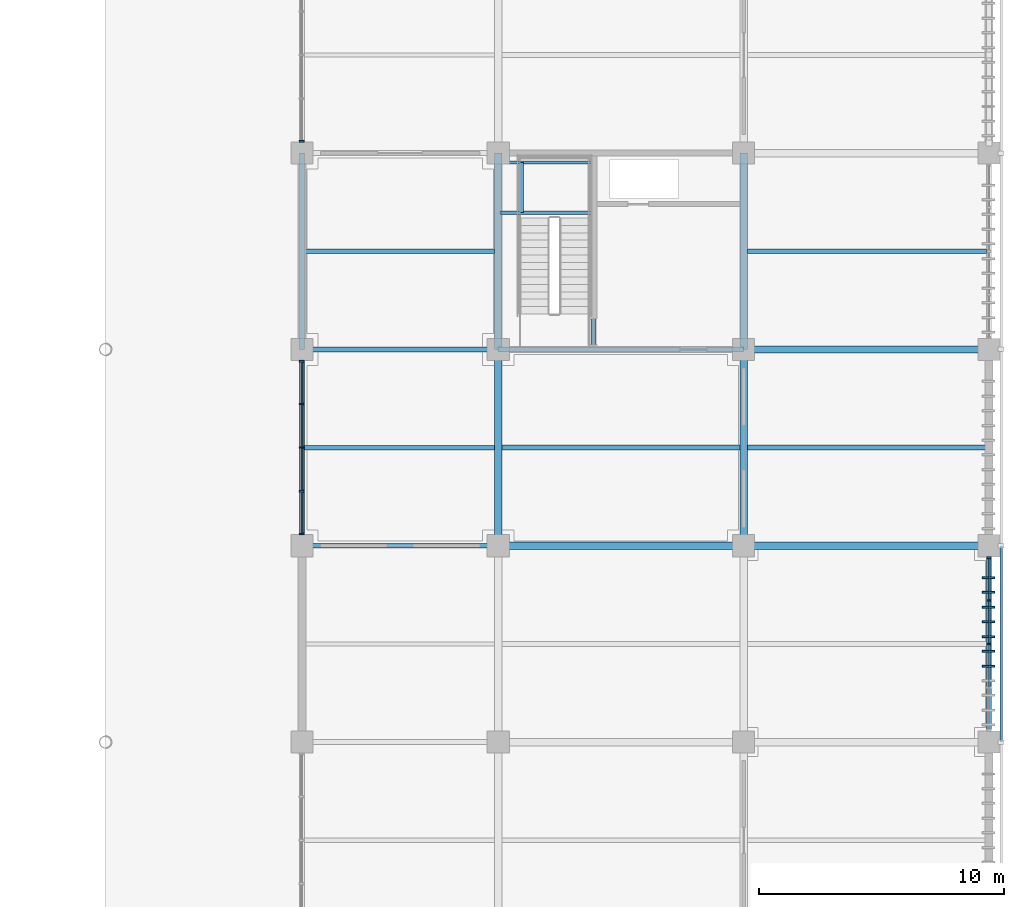
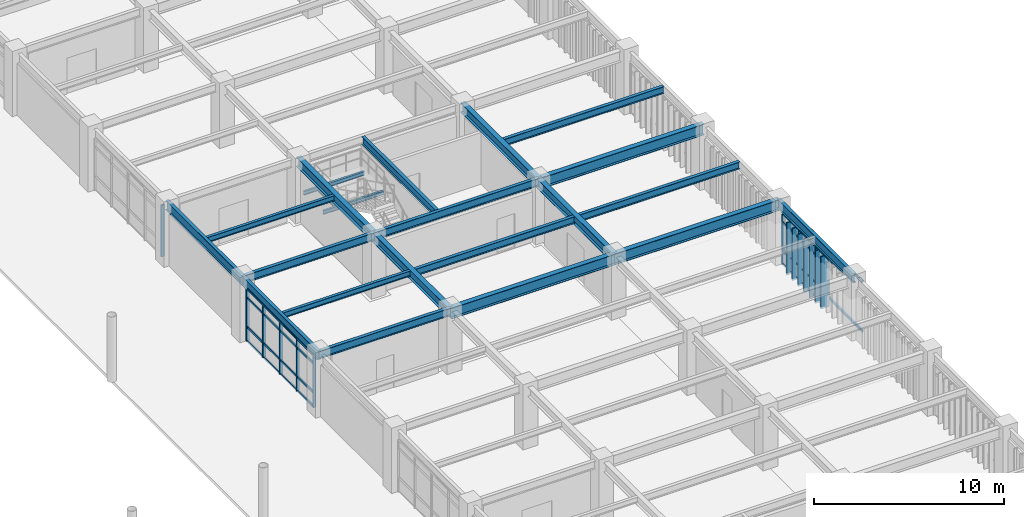
# One storey, part 47 of 118: 43 members, 22 beams, 3 elements without a shape of their own.
"""IFC4 building model written with IfcOpenShell, lengths in metres."""

from ifc_helpers import new_model, si_unit, direction, frame, origin, origin_2d, place, context, subcontext, project, spatial, rectangle, hollow_rectangle, i_section, extrude, material, layer, layer_set, material_profile, profile_set, type_object, element, aggregate, save


model = new_model("IFC4")

# Units and contexts
model_context = context("Model", 3, precision=1e-05, world=origin(), true_north=direction((0.0, 1.0)))
body_context = subcontext(model_context, "Body", "Model", "MODEL_VIEW")
ifc_project = project(units=[si_unit("LENGTHUNIT", "METRE"), si_unit("AREAUNIT", "SQUARE_METRE"), si_unit("VOLUMEUNIT", "CUBIC_METRE"), si_unit("PLANEANGLEUNIT", "RADIAN"), si_unit("MASSUNIT", "GRAM", prefix="KILO")], contexts=[model_context])

# Site, building, storey
site_placement = place(None, origin())
site = spatial("IfcSite", under=ifc_project, at=site_placement, CompositionType="ELEMENT")
building_placement = place(site_placement, origin())
building = spatial("IfcBuilding", under=site, at=building_placement, Name="Haebicheon Civic Stadium", CompositionType="ELEMENT")
storey_placement = place(building_placement, frame((0.0, 0.0, 14.39990234375)))
storey = spatial("IfcBuildingStorey", under=building, at=storey_placement, Name="L04", CompositionType="ELEMENT", Elevation=14.39990234375)

# Beams
ifc_material_1 = material(Name="Steel SM355 (S355)", Category="steel")
ifc_material_profile_1 = material_profile(ifc_material_1, i_section(OverallWidth=0.199951171875, OverallDepth=0.5, WebThickness=0.010009765625, FlangeThickness=0.01611328125, at=origin_2d()), Name="H-500x200x10x16")
ifc_profile_set_1 = profile_set([ifc_material_profile_1], Name="Steel SM355 (S355)")
beam_type_1 = type_object("IfcBeamType", Name="BM-ST-H500", PredefinedType="BEAM", material=ifc_profile_set_1)
for number, where, z_axis, x_axis, name in (
    (1, (208.0, 96.0, 3.690185546875), (1.0, 0.0, 0.0), (0.0, 1.0, 0.0), "L04 beam N/27-28"),
    (2, (208.0, 104.0, 3.690185546875), (1.0, 0.0, 0.0), (0.0, 1.0, 0.0), "L04 beam P/27-28"),
):
    element("IfcBeam", number, at=place(storey_placement, frame(where, z_axis=z_axis, x_axis=x_axis)), inside=storey, type_object=beam_type_1, material=ifc_profile_set_1, Name=name, PredefinedType="BEAM", context=body_context, shape_type="SweptSolid", body=[
        extrude(i_section(OverallWidth=0.199951171875, OverallDepth=0.5, WebThickness=0.010009765625, FlangeThickness=0.01611328125, at=origin_2d()), origin(), (0.0, 0.0, 1.0), 8.0),
    ])
beam_1_placement = place(storey_placement, frame((216.0, 104.0, 3.690185546875), z_axis=(1.0, 0.0, 0.0), x_axis=(0.0, 1.0, 0.0)))
element("IfcBeam", 3, at=beam_1_placement, inside=storey, type_object=beam_type_1, material=ifc_profile_set_1, Name="L04 beam P/28-29", PredefinedType="BEAM", context=body_context, shape_type="SweptSolid", body=[
    extrude(i_section(OverallWidth=0.199951171875, OverallDepth=0.5, WebThickness=0.010009765625, FlangeThickness=0.01611328125, at=origin_2d()), origin(), (0.0, 0.0, 1.0), 10.0),
])
beam_2_placement = place(storey_placement, frame((219.8798828125, 104.10009765625, 3.690185546875), z_axis=(0.0, 1.0, 0.0), x_axis=(-1.0, 0.0, 0.0)))
element("IfcBeam", 4, at=beam_2_placement, inside=storey, type_object=beam_type_1, material=ifc_profile_set_1, Name="L04 KC-13 core dividing wall support beam", PredefinedType="BEAM", context=body_context, shape_type="SweptSolid", body=[
    extrude(i_section(OverallWidth=0.199951171875, OverallDepth=0.5, WebThickness=0.010009765625, FlangeThickness=0.01611328125, at=origin_2d()), origin(), (0.0, 0.0, 1.0), 7.7998046875),
])
ifc_material_2 = material(Name="Steel SM355 (S355)", Category="steel")
ifc_material_profile_2 = material_profile(ifc_material_2, i_section(OverallWidth=0.300048828125, OverallDepth=0.60009765625, WebThickness=0.011962890625, FlangeThickness=0.02001953125, at=origin_2d()), Name="H-600x300x12x20")
ifc_profile_set_2 = profile_set([ifc_material_profile_2], Name="Steel SM355 (S355)")
beam_type_2 = type_object("IfcBeamType", Name="BM-ST-H600A", PredefinedType="BEAM", material=ifc_profile_set_2)
for number, where, z_axis, x_axis, name in (
    (5, (216.0, 96.0, 3.64013671875), (0.0, 1.0, 0.0), (-1.0, 0.0, 0.0), "L04 girder 28/N-P"),
    (6, (216.0, 104.0, 3.64013671875), (0.0, 1.0, 0.0), (-1.0, 0.0, 0.0), "L04 girder 28/P-Q"),
    (7, (226.0, 96.0, 3.64013671875), (0.0, 1.0, 0.0), (-1.0, 0.0, 0.0), "L04 girder 29/N-P"),
    (8, (226.0, 104.0, 3.64013671875), (0.0, 1.0, 0.0), (-1.0, 0.0, 0.0), "L04 girder 29/P-Q"),
):
    element("IfcBeam", number, at=place(storey_placement, frame(where, z_axis=z_axis, x_axis=x_axis)), inside=storey, type_object=beam_type_2, material=ifc_profile_set_2, Name=name, PredefinedType="BEAM", context=body_context, shape_type="SweptSolid", body=[
        extrude(i_section(OverallWidth=0.300048828125, OverallDepth=0.60009765625, WebThickness=0.011962890625, FlangeThickness=0.02001953125, at=origin_2d()), origin(), (0.0, 0.0, 1.0), 8.0),
    ])
ifc_material_3 = material(Name="Steel SM490", Category="steel")
ifc_material_profile_3 = material_profile(ifc_material_3, i_section(OverallWidth=0.300048828125, OverallDepth=0.699951171875, WebThickness=0.012939453125, FlangeThickness=0.02392578125, at=origin_2d()), Name="H-700x300x13x24")
ifc_profile_set_3 = profile_set([ifc_material_profile_3], Name="Steel SM490")
beam_type_3 = type_object("IfcBeamType", Name="BM-ST-H700", PredefinedType="BEAM", material=ifc_profile_set_3)
for number, where, z_axis, x_axis, name in (
    (9, (216.0, 96.0, 3.590087890625), (1.0, 0.0, 0.0), (0.0, 1.0, 0.0), "L04 beam N/28-29"),
    (10, (226.0, 96.0, 3.590087890625), (1.0, 0.0, 0.0), (0.0, 1.0, 0.0), "L04 beam N/29-30"),
    (11, (226.0, 104.0, 3.590087890625), (1.0, 0.0, 0.0), (0.0, 1.0, 0.0), "L04 beam P/29-30"),
):
    element("IfcBeam", number, at=place(storey_placement, frame(where, z_axis=z_axis, x_axis=x_axis)), inside=storey, type_object=beam_type_3, material=ifc_profile_set_3, Name=name, PredefinedType="BEAM", context=body_context, shape_type="SweptSolid", body=[
        extrude(i_section(OverallWidth=0.300048828125, OverallDepth=0.699951171875, WebThickness=0.012939453125, FlangeThickness=0.02392578125, at=origin_2d()), origin(), (0.0, 0.0, 1.0), 10.0),
    ])

# Curtain wall, members
ifc_material_4 = material(Name="Anodised aluminium and laminated glass", Category="aluminium")
ifc_layer_1 = layer(ifc_material_4, 0.179931640625, Name="Anodised aluminium and laminated glass")
ifc_layer_set_1 = layer_set([ifc_layer_1], Name="Anodised aluminium and laminated glass")
curtain_wall_type_1 = type_object("IfcCurtainWallType", Name="CW-7100x3330", PredefinedType="NOTDEFINED", material=ifc_layer_set_1)
curtain_wall_1_placement = place(storey_placement, origin())
curtain_wall_1 = element("IfcCurtainWall", 12, at=curtain_wall_1_placement, inside=storey, type_object=curtain_wall_type_1, material=ifc_layer_set_1, Name="L04 unitised curtain wall 172", PredefinedType="NOTDEFINED")
ifc_material_5 = material(Name="Anodised aluminium 6063-T6", Category="aluminium")
ifc_material_profile_4 = material_profile(ifc_material_5, rectangle(XDim=0.070068359375, YDim=0.199951171875, at=origin_2d()), Name="ALU-MULL-70x200")
ifc_profile_set_4 = profile_set([ifc_material_profile_4], Name="Anodised aluminium 6063-T6")
member_type_1 = type_object("IfcMemberType", Name="CWM-200x70", PredefinedType="MULLION", material=ifc_profile_set_4)
member_1_placement = place(storey_placement, frame((208.0, 96.485107421875, 0.0), z_axis=(0.0, 0.0, 1.0), x_axis=(0.0, 1.0, 0.0)))
member_1 = element("IfcMember", 13, at=member_1_placement, type_object=member_type_1, material=ifc_profile_set_4, Name="CW-L04-172 vertical mullion 1", PredefinedType="MULLION", context=body_context, shape_type="SweptSolid", body=[
    extrude(rectangle(XDim=0.070068359375, YDim=0.199951171875, at=origin_2d()), origin(), (0.0, 0.0, 1.0), 3.330078125),
])
member_2_placement = place(storey_placement, frame((208.0, 98.22509765625, 0.0), z_axis=(0.0, 0.0, 1.0), x_axis=(0.0, 1.0, 0.0)))
member_2 = element("IfcMember", 14, at=member_2_placement, type_object=member_type_1, material=ifc_profile_set_4, Name="CW-L04-172 vertical mullion 2", PredefinedType="MULLION", context=body_context, shape_type="SweptSolid", body=[
    extrude(rectangle(XDim=0.070068359375, YDim=0.199951171875, at=origin_2d()), origin(), (0.0, 0.0, 1.0), 3.330078125),
])
member_3_placement = place(storey_placement, frame((208.0, 100.0, 0.0), z_axis=(0.0, 0.0, 1.0), x_axis=(0.0, 1.0, 0.0)))
member_3 = element("IfcMember", 15, at=member_3_placement, type_object=member_type_1, material=ifc_profile_set_4, Name="CW-L04-172 vertical mullion 3", PredefinedType="MULLION", context=body_context, shape_type="SweptSolid", body=[
    extrude(rectangle(XDim=0.070068359375, YDim=0.199951171875, at=origin_2d()), origin(), (0.0, 0.0, 1.0), 3.330078125),
])
member_4_placement = place(storey_placement, frame((208.0, 101.77490234375, 0.0), z_axis=(0.0, 0.0, 1.0), x_axis=(0.0, 1.0, 0.0)))
member_4 = element("IfcMember", 16, at=member_4_placement, type_object=member_type_1, material=ifc_profile_set_4, Name="CW-L04-172 vertical mullion 4", PredefinedType="MULLION", context=body_context, shape_type="SweptSolid", body=[
    extrude(rectangle(XDim=0.070068359375, YDim=0.199951171875, at=origin_2d()), origin(), (0.0, 0.0, 1.0), 3.330078125),
])
member_5_placement = place(storey_placement, frame((208.0, 103.514892578125, 0.0), z_axis=(0.0, 0.0, 1.0), x_axis=(0.0, 1.0, 0.0)))
member_5 = element("IfcMember", 17, at=member_5_placement, type_object=member_type_1, material=ifc_profile_set_4, Name="CW-L04-172 vertical mullion 5", PredefinedType="MULLION", context=body_context, shape_type="SweptSolid", body=[
    extrude(rectangle(XDim=0.070068359375, YDim=0.199951171875, at=origin_2d()), origin(), (0.0, 0.0, 1.0), 3.330078125),
])

# Curtain wall, member
curtain_wall_2_placement = place(storey_placement, origin())
curtain_wall_2 = element("IfcCurtainWall", 18, at=curtain_wall_2_placement, inside=storey, type_object=curtain_wall_type_1, material=ifc_layer_set_1, Name="L04 unitised curtain wall 173", PredefinedType="NOTDEFINED")
member_6_placement = place(storey_placement, frame((208.0, 112.485107421875, 0.0), z_axis=(0.0, 0.0, 1.0), x_axis=(0.0, 1.0, 0.0)))
member_6 = element("IfcMember", 19, at=member_6_placement, type_object=member_type_1, material=ifc_profile_set_4, Name="CW-L04-173 vertical mullion 1", PredefinedType="MULLION", context=body_context, shape_type="SweptSolid", body=[
    extrude(rectangle(XDim=0.070068359375, YDim=0.199951171875, at=origin_2d()), origin(), (0.0, 0.0, 1.0), 3.330078125),
])
aggregate(curtain_wall_2, [member_6])

# Curtain wall, members
ifc_material_6 = material(Name="Anodised aluminium and laminated glass", Category="aluminium")
ifc_layer_2 = layer(ifc_material_6, 0.179931640625, Name="Anodised aluminium and laminated glass")
ifc_layer_set_2 = layer_set([ifc_layer_2], Name="Anodised aluminium and laminated glass")
curtain_wall_type_2 = type_object("IfcCurtainWallType", Name="CW-7100x3230", PredefinedType="NOTDEFINED", material=ifc_layer_set_2)
curtain_wall_3_placement = place(storey_placement, origin())
curtain_wall_3 = element("IfcCurtainWall", 20, at=curtain_wall_3_placement, inside=storey, type_object=curtain_wall_type_2, material=ifc_layer_set_2, Name="L04 unitised curtain wall 179", PredefinedType="NOTDEFINED")
member_7_placement = place(storey_placement, frame((236.0, 92.0, 0.0), z_axis=(0.0, 0.0, 1.0), x_axis=(0.0, 1.0, 0.0)))
member_7 = element("IfcMember", 21, at=member_7_placement, type_object=member_type_1, material=ifc_profile_set_4, Name="CW-L04-179 vertical mullion 3", PredefinedType="MULLION", context=body_context, shape_type="SweptSolid", body=[
    extrude(rectangle(XDim=0.070068359375, YDim=0.199951171875, at=origin_2d()), origin(), (0.0, 0.0, 1.0), 3.22998046875),
])
member_8_placement = place(storey_placement, frame((236.0, 93.77490234375, 0.0), z_axis=(0.0, 0.0, 1.0), x_axis=(0.0, 1.0, 0.0)))
member_8 = element("IfcMember", 22, at=member_8_placement, type_object=member_type_1, material=ifc_profile_set_4, Name="CW-L04-179 vertical mullion 4", PredefinedType="MULLION", context=body_context, shape_type="SweptSolid", body=[
    extrude(rectangle(XDim=0.070068359375, YDim=0.199951171875, at=origin_2d()), origin(), (0.0, 0.0, 1.0), 3.22998046875),
])
member_9_placement = place(storey_placement, frame((236.0, 95.514892578125, 0.0), z_axis=(0.0, 0.0, 1.0), x_axis=(0.0, 1.0, 0.0)))
member_9 = element("IfcMember", 23, at=member_9_placement, type_object=member_type_1, material=ifc_profile_set_4, Name="CW-L04-179 vertical mullion 5", PredefinedType="MULLION", context=body_context, shape_type="SweptSolid", body=[
    extrude(rectangle(XDim=0.070068359375, YDim=0.199951171875, at=origin_2d()), origin(), (0.0, 0.0, 1.0), 3.22998046875),
])

# Member
ifc_material_7 = material(Name="Anodised aluminium 6063-T6", Category="aluminium")
ifc_material_profile_5 = material_profile(ifc_material_7, rectangle(XDim=0.070068359375, YDim=0.14990234375, at=origin_2d()), Name="ALU-TRAN-70x150")
ifc_profile_set_5 = profile_set([ifc_material_profile_5], Name="Anodised aluminium 6063-T6")
member_type_2 = type_object("IfcMemberType", Name="CWT-150x70", PredefinedType="NOTDEFINED", material=ifc_profile_set_5)
member_10_placement = place(storey_placement, frame((208.0, 96.52001953125, 0.0), z_axis=(0.0, 1.0, 0.0), x_axis=(-1.0, 0.0, 0.0)))
member_10 = element("IfcMember", 24, at=member_10_placement, type_object=member_type_2, material=ifc_profile_set_5, Name="CW-L04-172 horizontal transom 1.1", ObjectType="TRANSOM", PredefinedType="USERDEFINED", context=body_context, shape_type="SweptSolid", body=[
    extrude(rectangle(XDim=0.070068359375, YDim=0.14990234375, at=origin_2d()), origin(), (0.0, 0.0, 1.0), 1.669921875),
])

member_11_placement = place(storey_placement, frame((208.0, 96.52001953125, 0.900146484375), z_axis=(0.0, 1.0, 0.0), x_axis=(-1.0, 0.0, 0.0)))
member_11 = element("IfcMember", 25, at=member_11_placement, type_object=member_type_2, material=ifc_profile_set_5, Name="CW-L04-172 horizontal transom 1.2", ObjectType="TRANSOM", PredefinedType="USERDEFINED", context=body_context, shape_type="SweptSolid", body=[
    extrude(rectangle(XDim=0.070068359375, YDim=0.14990234375, at=origin_2d()), origin(), (0.0, 0.0, 1.0), 1.669921875),
])

member_12_placement = place(storey_placement, frame((208.0, 96.52001953125, 2.780029296875), z_axis=(0.0, 1.0, 0.0), x_axis=(-1.0, 0.0, 0.0)))
member_12 = element("IfcMember", 26, at=member_12_placement, type_object=member_type_2, material=ifc_profile_set_5, Name="CW-L04-172 horizontal transom 1.3", ObjectType="TRANSOM", PredefinedType="USERDEFINED", context=body_context, shape_type="SweptSolid", body=[
    extrude(rectangle(XDim=0.070068359375, YDim=0.14990234375, at=origin_2d()), origin(), (0.0, 0.0, 1.0), 1.669921875),
])

member_13_placement = place(storey_placement, frame((208.0, 96.52001953125, 3.330078125), z_axis=(0.0, 1.0, 0.0), x_axis=(-1.0, 0.0, 0.0)))
member_13 = element("IfcMember", 27, at=member_13_placement, type_object=member_type_2, material=ifc_profile_set_5, Name="CW-L04-172 horizontal transom 1.4", ObjectType="TRANSOM", PredefinedType="USERDEFINED", context=body_context, shape_type="SweptSolid", body=[
    extrude(rectangle(XDim=0.070068359375, YDim=0.14990234375, at=origin_2d()), origin(), (0.0, 0.0, 1.0), 1.669921875),
])

member_14_placement = place(storey_placement, frame((208.0, 98.260009765625, 0.0), z_axis=(0.0, 1.0, 0.0), x_axis=(-1.0, 0.0, 0.0)))
member_14 = element("IfcMember", 28, at=member_14_placement, type_object=member_type_2, material=ifc_profile_set_5, Name="CW-L04-172 horizontal transom 2.1", ObjectType="TRANSOM", PredefinedType="USERDEFINED", context=body_context, shape_type="SweptSolid", body=[
    extrude(rectangle(XDim=0.070068359375, YDim=0.14990234375, at=origin_2d()), origin(), (0.0, 0.0, 1.0), 1.705078125),
])

member_15_placement = place(storey_placement, frame((208.0, 98.260009765625, 0.900146484375), z_axis=(0.0, 1.0, 0.0), x_axis=(-1.0, 0.0, 0.0)))
member_15 = element("IfcMember", 29, at=member_15_placement, type_object=member_type_2, material=ifc_profile_set_5, Name="CW-L04-172 horizontal transom 2.2", ObjectType="TRANSOM", PredefinedType="USERDEFINED", context=body_context, shape_type="SweptSolid", body=[
    extrude(rectangle(XDim=0.070068359375, YDim=0.14990234375, at=origin_2d()), origin(), (0.0, 0.0, 1.0), 1.705078125),
])

member_16_placement = place(storey_placement, frame((208.0, 98.260009765625, 2.780029296875), z_axis=(0.0, 1.0, 0.0), x_axis=(-1.0, 0.0, 0.0)))
member_16 = element("IfcMember", 30, at=member_16_placement, type_object=member_type_2, material=ifc_profile_set_5, Name="CW-L04-172 horizontal transom 2.3", ObjectType="TRANSOM", PredefinedType="USERDEFINED", context=body_context, shape_type="SweptSolid", body=[
    extrude(rectangle(XDim=0.070068359375, YDim=0.14990234375, at=origin_2d()), origin(), (0.0, 0.0, 1.0), 1.705078125),
])

member_17_placement = place(storey_placement, frame((208.0, 98.260009765625, 3.330078125), z_axis=(0.0, 1.0, 0.0), x_axis=(-1.0, 0.0, 0.0)))
member_17 = element("IfcMember", 31, at=member_17_placement, type_object=member_type_2, material=ifc_profile_set_5, Name="CW-L04-172 horizontal transom 2.4", ObjectType="TRANSOM", PredefinedType="USERDEFINED", context=body_context, shape_type="SweptSolid", body=[
    extrude(rectangle(XDim=0.070068359375, YDim=0.14990234375, at=origin_2d()), origin(), (0.0, 0.0, 1.0), 1.705078125),
])

member_18_placement = place(storey_placement, frame((208.0, 100.034912109375, 0.0), z_axis=(0.0, 1.0, 0.0), x_axis=(-1.0, 0.0, 0.0)))
member_18 = element("IfcMember", 32, at=member_18_placement, type_object=member_type_2, material=ifc_profile_set_5, Name="CW-L04-172 horizontal transom 3.1", ObjectType="TRANSOM", PredefinedType="USERDEFINED", context=body_context, shape_type="SweptSolid", body=[
    extrude(rectangle(XDim=0.070068359375, YDim=0.14990234375, at=origin_2d()), origin(), (0.0, 0.0, 1.0), 1.705078125),
])

member_19_placement = place(storey_placement, frame((208.0, 100.034912109375, 0.900146484375), z_axis=(0.0, 1.0, 0.0), x_axis=(-1.0, 0.0, 0.0)))
member_19 = element("IfcMember", 33, at=member_19_placement, type_object=member_type_2, material=ifc_profile_set_5, Name="CW-L04-172 horizontal transom 3.2", ObjectType="TRANSOM", PredefinedType="USERDEFINED", context=body_context, shape_type="SweptSolid", body=[
    extrude(rectangle(XDim=0.070068359375, YDim=0.14990234375, at=origin_2d()), origin(), (0.0, 0.0, 1.0), 1.705078125),
])

member_20_placement = place(storey_placement, frame((208.0, 100.034912109375, 2.780029296875), z_axis=(0.0, 1.0, 0.0), x_axis=(-1.0, 0.0, 0.0)))
member_20 = element("IfcMember", 34, at=member_20_placement, type_object=member_type_2, material=ifc_profile_set_5, Name="CW-L04-172 horizontal transom 3.3", ObjectType="TRANSOM", PredefinedType="USERDEFINED", context=body_context, shape_type="SweptSolid", body=[
    extrude(rectangle(XDim=0.070068359375, YDim=0.14990234375, at=origin_2d()), origin(), (0.0, 0.0, 1.0), 1.705078125),
])

member_21_placement = place(storey_placement, frame((208.0, 100.034912109375, 3.330078125), z_axis=(0.0, 1.0, 0.0), x_axis=(-1.0, 0.0, 0.0)))
member_21 = element("IfcMember", 35, at=member_21_placement, type_object=member_type_2, material=ifc_profile_set_5, Name="CW-L04-172 horizontal transom 3.4", ObjectType="TRANSOM", PredefinedType="USERDEFINED", context=body_context, shape_type="SweptSolid", body=[
    extrude(rectangle(XDim=0.070068359375, YDim=0.14990234375, at=origin_2d()), origin(), (0.0, 0.0, 1.0), 1.705078125),
])

member_22_placement = place(storey_placement, frame((208.0, 101.81005859375, 0.0), z_axis=(0.0, 1.0, 0.0), x_axis=(-1.0, 0.0, 0.0)))
member_22 = element("IfcMember", 36, at=member_22_placement, type_object=member_type_2, material=ifc_profile_set_5, Name="CW-L04-172 horizontal transom 4.1", ObjectType="TRANSOM", PredefinedType="USERDEFINED", context=body_context, shape_type="SweptSolid", body=[
    extrude(rectangle(XDim=0.070068359375, YDim=0.14990234375, at=origin_2d()), origin(), (0.0, 0.0, 1.0), 1.669921875),
])

member_23_placement = place(storey_placement, frame((208.0, 101.81005859375, 0.900146484375), z_axis=(0.0, 1.0, 0.0), x_axis=(-1.0, 0.0, 0.0)))
member_23 = element("IfcMember", 37, at=member_23_placement, type_object=member_type_2, material=ifc_profile_set_5, Name="CW-L04-172 horizontal transom 4.2", ObjectType="TRANSOM", PredefinedType="USERDEFINED", context=body_context, shape_type="SweptSolid", body=[
    extrude(rectangle(XDim=0.070068359375, YDim=0.14990234375, at=origin_2d()), origin(), (0.0, 0.0, 1.0), 1.669921875),
])

member_24_placement = place(storey_placement, frame((208.0, 101.81005859375, 2.780029296875), z_axis=(0.0, 1.0, 0.0), x_axis=(-1.0, 0.0, 0.0)))
member_24 = element("IfcMember", 38, at=member_24_placement, type_object=member_type_2, material=ifc_profile_set_5, Name="CW-L04-172 horizontal transom 4.3", ObjectType="TRANSOM", PredefinedType="USERDEFINED", context=body_context, shape_type="SweptSolid", body=[
    extrude(rectangle(XDim=0.070068359375, YDim=0.14990234375, at=origin_2d()), origin(), (0.0, 0.0, 1.0), 1.669921875),
])

member_25_placement = place(storey_placement, frame((208.0, 101.81005859375, 3.330078125), z_axis=(0.0, 1.0, 0.0), x_axis=(-1.0, 0.0, 0.0)))
member_25 = element("IfcMember", 39, at=member_25_placement, type_object=member_type_2, material=ifc_profile_set_5, Name="CW-L04-172 horizontal transom 4.4", ObjectType="TRANSOM", PredefinedType="USERDEFINED", context=body_context, shape_type="SweptSolid", body=[
    extrude(rectangle(XDim=0.070068359375, YDim=0.14990234375, at=origin_2d()), origin(), (0.0, 0.0, 1.0), 1.669921875),
])

aggregate(curtain_wall_1, [member_1, member_2, member_3, member_4, member_5, member_10, member_11, member_12, member_13, member_14, member_15, member_16, member_17, member_18, member_19, member_20, member_21, member_22, member_23, member_24, member_25])

member_26_placement = place(storey_placement, frame((236.0, 90.260009765625, 3.22998046875), z_axis=(0.0, 1.0, 0.0), x_axis=(-1.0, 0.0, 0.0)))
member_26 = element("IfcMember", 40, at=member_26_placement, type_object=member_type_2, material=ifc_profile_set_5, Name="CW-L04-179 horizontal transom 2.4", ObjectType="TRANSOM", PredefinedType="USERDEFINED", context=body_context, shape_type="SweptSolid", body=[
    extrude(rectangle(XDim=0.070068359375, YDim=0.14990234375, at=origin_2d()), origin(), (0.0, 0.0, 1.0), 1.705078125),
])

member_27_placement = place(storey_placement, frame((236.0, 92.034912109375, 0.0), z_axis=(0.0, 1.0, 0.0), x_axis=(-1.0, 0.0, 0.0)))
member_27 = element("IfcMember", 41, at=member_27_placement, type_object=member_type_2, material=ifc_profile_set_5, Name="CW-L04-179 horizontal transom 3.1", ObjectType="TRANSOM", PredefinedType="USERDEFINED", context=body_context, shape_type="SweptSolid", body=[
    extrude(rectangle(XDim=0.070068359375, YDim=0.14990234375, at=origin_2d()), origin(), (0.0, 0.0, 1.0), 1.705078125),
])

member_28_placement = place(storey_placement, frame((236.0, 92.034912109375, 0.900146484375), z_axis=(0.0, 1.0, 0.0), x_axis=(-1.0, 0.0, 0.0)))
member_28 = element("IfcMember", 42, at=member_28_placement, type_object=member_type_2, material=ifc_profile_set_5, Name="CW-L04-179 horizontal transom 3.2", ObjectType="TRANSOM", PredefinedType="USERDEFINED", context=body_context, shape_type="SweptSolid", body=[
    extrude(rectangle(XDim=0.070068359375, YDim=0.14990234375, at=origin_2d()), origin(), (0.0, 0.0, 1.0), 1.705078125),
])

member_29_placement = place(storey_placement, frame((236.0, 92.034912109375, 2.68017578125), z_axis=(0.0, 1.0, 0.0), x_axis=(-1.0, 0.0, 0.0)))
member_29 = element("IfcMember", 43, at=member_29_placement, type_object=member_type_2, material=ifc_profile_set_5, Name="CW-L04-179 horizontal transom 3.3", ObjectType="TRANSOM", PredefinedType="USERDEFINED", context=body_context, shape_type="SweptSolid", body=[
    extrude(rectangle(XDim=0.070068359375, YDim=0.14990234375, at=origin_2d()), origin(), (0.0, 0.0, 1.0), 1.705078125),
])

member_30_placement = place(storey_placement, frame((236.0, 92.034912109375, 3.22998046875), z_axis=(0.0, 1.0, 0.0), x_axis=(-1.0, 0.0, 0.0)))
member_30 = element("IfcMember", 44, at=member_30_placement, type_object=member_type_2, material=ifc_profile_set_5, Name="CW-L04-179 horizontal transom 3.4", ObjectType="TRANSOM", PredefinedType="USERDEFINED", context=body_context, shape_type="SweptSolid", body=[
    extrude(rectangle(XDim=0.070068359375, YDim=0.14990234375, at=origin_2d()), origin(), (0.0, 0.0, 1.0), 1.705078125),
])

member_31_placement = place(storey_placement, frame((236.0, 93.81005859375, 0.0), z_axis=(0.0, 1.0, 0.0), x_axis=(-1.0, 0.0, 0.0)))
member_31 = element("IfcMember", 45, at=member_31_placement, type_object=member_type_2, material=ifc_profile_set_5, Name="CW-L04-179 horizontal transom 4.1", ObjectType="TRANSOM", PredefinedType="USERDEFINED", context=body_context, shape_type="SweptSolid", body=[
    extrude(rectangle(XDim=0.070068359375, YDim=0.14990234375, at=origin_2d()), origin(), (0.0, 0.0, 1.0), 1.669921875),
])

member_32_placement = place(storey_placement, frame((236.0, 93.81005859375, 0.900146484375), z_axis=(0.0, 1.0, 0.0), x_axis=(-1.0, 0.0, 0.0)))
member_32 = element("IfcMember", 46, at=member_32_placement, type_object=member_type_2, material=ifc_profile_set_5, Name="CW-L04-179 horizontal transom 4.2", ObjectType="TRANSOM", PredefinedType="USERDEFINED", context=body_context, shape_type="SweptSolid", body=[
    extrude(rectangle(XDim=0.070068359375, YDim=0.14990234375, at=origin_2d()), origin(), (0.0, 0.0, 1.0), 1.669921875),
])

member_33_placement = place(storey_placement, frame((236.0, 93.81005859375, 2.68017578125), z_axis=(0.0, 1.0, 0.0), x_axis=(-1.0, 0.0, 0.0)))
member_33 = element("IfcMember", 47, at=member_33_placement, type_object=member_type_2, material=ifc_profile_set_5, Name="CW-L04-179 horizontal transom 4.3", ObjectType="TRANSOM", PredefinedType="USERDEFINED", context=body_context, shape_type="SweptSolid", body=[
    extrude(rectangle(XDim=0.070068359375, YDim=0.14990234375, at=origin_2d()), origin(), (0.0, 0.0, 1.0), 1.669921875),
])

member_34_placement = place(storey_placement, frame((236.0, 93.81005859375, 3.22998046875), z_axis=(0.0, 1.0, 0.0), x_axis=(-1.0, 0.0, 0.0)))
member_34 = element("IfcMember", 48, at=member_34_placement, type_object=member_type_2, material=ifc_profile_set_5, Name="CW-L04-179 horizontal transom 4.4", ObjectType="TRANSOM", PredefinedType="USERDEFINED", context=body_context, shape_type="SweptSolid", body=[
    extrude(rectangle(XDim=0.070068359375, YDim=0.14990234375, at=origin_2d()), origin(), (0.0, 0.0, 1.0), 1.669921875),
])

aggregate(curtain_wall_3, [member_7, member_8, member_9, member_26, member_27, member_28, member_29, member_30, member_31, member_32, member_33, member_34])

# Beams
ifc_material_8 = material(Name="Steel SM355 (S355)", Category="steel")
ifc_material_profile_6 = material_profile(ifc_material_8, i_section(OverallWidth=0.125, OverallDepth=0.25, WebThickness=0.006103515625, FlangeThickness=0.009033203125, at=origin_2d()), Name="H-250x125x6x9")
ifc_profile_set_6 = profile_set([ifc_material_profile_6], Name="Steel SM355 (S355)")
beam_type_4 = type_object("IfcBeamType", Name="JST-ST-H250", PredefinedType="JOIST", material=ifc_profile_set_6)
for number, where, z_axis, x_axis, name in (
    (49, (216.080078125, 109.570068359375, 1.772216796875), (1.0, 0.0, 0.0), (0.0, 1.0, 0.0), "KC-13 L04 stair half-landing front trimmer beam"),
    (50, (216.080078125, 111.6201171875, 1.772216796875), (1.0, 0.0, 0.0), (0.0, 1.0, 0.0), "KC-13 L04 stair half-landing rear trimmer beam"),
):
    element("IfcBeam", number, at=place(storey_placement, frame(where, z_axis=z_axis, x_axis=x_axis)), inside=storey, type_object=beam_type_4, material=ifc_profile_set_6, Name=name, PredefinedType="JOIST", context=body_context, shape_type="SweptSolid", body=[
        extrude(i_section(OverallWidth=0.125, OverallDepth=0.25, WebThickness=0.006103515625, FlangeThickness=0.009033203125, at=origin_2d()), origin(), (0.0, 0.0, 1.0), 3.719970703125),
    ])
beam_3_placement = place(storey_placement, frame((216.9599609375, 109.570068359375, 1.772216796875), z_axis=(0.0, 1.0, 0.0), x_axis=(-1.0, 0.0, 0.0)))
element("IfcBeam", 51, at=beam_3_placement, inside=storey, type_object=beam_type_4, material=ifc_profile_set_6, Name="KC-13 L04 stair half-landing transverse tie beam", PredefinedType="JOIST", context=body_context, shape_type="SweptSolid", body=[
    extrude(i_section(OverallWidth=0.125, OverallDepth=0.25, WebThickness=0.006103515625, FlangeThickness=0.009033203125, at=origin_2d()), origin(), (0.0, 0.0, 1.0), 2.050048828125),
])
ifc_material_9 = material(Name="Steel SM355 (S355)", Category="steel")
ifc_material_profile_7 = material_profile(ifc_material_9, i_section(OverallWidth=0.175048828125, OverallDepth=0.35009765625, WebThickness=0.007080078125, FlangeThickness=0.010986328125, at=origin_2d()), Name="H-350x175x7x11")
ifc_profile_set_7 = profile_set([ifc_material_profile_7], Name="Steel SM355 (S355)")
beam_type_5 = type_object("IfcBeamType", Name="JST-ST-H350", PredefinedType="JOIST", material=ifc_profile_set_7)
for number, where, z_axis, x_axis, name in (
    (52, (208.10009765625, 100.0, 3.76513671875), (1.0, 0.0, 0.0), (0.0, 1.0, 0.0), "L04 secondary joist 26-12"),
    (53, (208.10009765625, 108.0, 3.76513671875), (1.0, 0.0, 0.0), (0.0, 1.0, 0.0), "L04 secondary joist 26-13"),
):
    element("IfcBeam", number, at=place(storey_placement, frame(where, z_axis=z_axis, x_axis=x_axis)), inside=storey, type_object=beam_type_5, material=ifc_profile_set_7, Name=name, PredefinedType="JOIST", context=body_context, shape_type="SweptSolid", body=[
        extrude(i_section(OverallWidth=0.175048828125, OverallDepth=0.35009765625, WebThickness=0.007080078125, FlangeThickness=0.010986328125, at=origin_2d()), origin(), (0.0, 0.0, 1.0), 7.75),
    ])
ifc_material_10 = material(Name="Steel SM355 (S355)", Category="steel")
ifc_material_profile_8 = material_profile(ifc_material_10, i_section(OverallWidth=0.199951171875, OverallDepth=0.449951171875, WebThickness=0.009033203125, FlangeThickness=0.013916015625, at=origin_2d()), Name="H-450x200x9x14")
ifc_profile_set_8 = profile_set([ifc_material_profile_8], Name="Steel SM355 (S355)")
beam_type_6 = type_object("IfcBeamType", Name="JST-ST-H450", PredefinedType="JOIST", material=ifc_profile_set_8)
beam_4_placement = place(storey_placement, frame((216.14990234375, 100.0, 3.715087890625), z_axis=(1.0, 0.0, 0.0), x_axis=(0.0, 1.0, 0.0)))
element("IfcBeam", 54, at=beam_4_placement, inside=storey, type_object=beam_type_6, material=ifc_profile_set_8, Name="L04 secondary joist 27-12", PredefinedType="JOIST", context=body_context, shape_type="SweptSolid", body=[
    extrude(i_section(OverallWidth=0.199951171875, OverallDepth=0.449951171875, WebThickness=0.009033203125, FlangeThickness=0.013916015625, at=origin_2d()), origin(), (0.0, 0.0, 1.0), 9.7001953125),
])
for number, where, z_axis, x_axis, name in (
    (55, (226.14990234375, 100.0, 3.715087890625), (1.0, 0.0, 0.0), (0.0, 1.0, 0.0), "L04 secondary joist 28-12"),
    (56, (226.14990234375, 108.0, 3.715087890625), (1.0, 0.0, 0.0), (0.0, 1.0, 0.0), "L04 secondary joist 28-13"),
):
    element("IfcBeam", number, at=place(storey_placement, frame(where, z_axis=z_axis, x_axis=x_axis)), inside=storey, type_object=beam_type_6, material=ifc_profile_set_8, Name=name, PredefinedType="JOIST", context=body_context, shape_type="SweptSolid", body=[
        extrude(i_section(OverallWidth=0.199951171875, OverallDepth=0.449951171875, WebThickness=0.009033203125, FlangeThickness=0.013916015625, at=origin_2d()), origin(), (0.0, 0.0, 1.0), 9.75),
    ])

# Members
ifc_material_11 = material(Name="Acetylated timber GL28h", Category="wood")
ifc_material_profile_9 = material_profile(ifc_material_11, rectangle(XDim=0.080078125, YDim=0.52001953125, at=origin_2d()), Name="TMB-LOUV-80x520")
ifc_profile_set_9 = profile_set([ifc_material_profile_9], Name="Acetylated timber GL28h")
member_type_3 = type_object("IfcMemberType", Name="LVR-TIM-520x80", PredefinedType="PLATE", material=ifc_profile_set_9)
for number, where, z_axis, x_axis, name in (
    (57, (235.97998046875, 91.10009765625, -0.119873046875), (0.0, 0.0, 1.0), (0.0, 1.0, 0.0), "SCR-COMM L04 acetylated timber storm louvre fin 6.5"),
    (58, (235.97998046875, 91.699951171875, -0.119873046875), (0.0, 0.0, 1.0), (0.0, 1.0, 0.0), "SCR-COMM L04 acetylated timber storm louvre fin 6.6"),
    (59, (235.97998046875, 92.300048828125, -0.119873046875), (0.0, 0.0, 1.0), (0.0, 1.0, 0.0), "SCR-COMM L04 acetylated timber storm louvre fin 6.7"),
    (60, (235.97998046875, 92.89990234375, -0.119873046875), (0.0, 0.0, 1.0), (0.0, 1.0, 0.0), "SCR-COMM L04 acetylated timber storm louvre fin 6.8"),
    (61, (235.97998046875, 93.5, -0.119873046875), (0.0, 0.0, 1.0), (0.0, 1.0, 0.0), "SCR-COMM L04 acetylated timber storm louvre fin 6.9"),
    (62, (235.97998046875, 94.10009765625, -0.119873046875), (0.0, 0.0, 1.0), (0.0, 1.0, 0.0), "SCR-COMM L04 acetylated timber storm louvre fin 6.10"),
    (63, (235.97998046875, 94.699951171875, -0.119873046875), (0.0, 0.0, 1.0), (0.0, 1.0, 0.0), "SCR-COMM L04 acetylated timber storm louvre fin 6.11"),
):
    element("IfcMember", number, at=place(storey_placement, frame(where, z_axis=z_axis, x_axis=x_axis)), inside=storey, type_object=member_type_3, material=ifc_profile_set_9, Name=name, PredefinedType="PLATE", context=body_context, shape_type="SweptSolid", body=[
        extrude(rectangle(XDim=0.080078125, YDim=0.52001953125, at=origin_2d()), origin(), (0.0, 0.0, 1.0), 3.369873046875),
    ])

# Beams
ifc_material_12 = material(Name="Steel SM355 (S355)", Category="steel")
ifc_material_profile_10 = material_profile(ifc_material_12, i_section(OverallWidth=0.199951171875, OverallDepth=0.60009765625, WebThickness=0.010986328125, FlangeThickness=0.01708984375, at=origin_2d()), Name="H-600x200x11x17")
ifc_profile_set_10 = profile_set([ifc_material_profile_10], Name="Steel SM355 (S355)")
beam_type_7 = type_object("IfcBeamType", Name="SPD-ST-H600B", PredefinedType="SPANDREL", material=ifc_profile_set_10)
for number, where, z_axis, x_axis, name in (
    (64, (208.0, 96.0, 3.64013671875), (0.0, 1.0, 0.0), (-1.0, 0.0, 0.0), "L04 girder 27/N-P"),
    (65, (208.0, 104.0, 3.64013671875), (0.0, 1.0, 0.0), (-1.0, 0.0, 0.0), "L04 girder 27/P-Q"),
    (66, (236.0, 88.0, 3.64013671875), (0.0, 1.0, 0.0), (-1.0, 0.0, 0.0), "L04 girder 30/M-N"),
):
    element("IfcBeam", number, at=place(storey_placement, frame(where, z_axis=z_axis, x_axis=x_axis)), inside=storey, type_object=beam_type_7, material=ifc_profile_set_10, Name=name, PredefinedType="SPANDREL", context=body_context, shape_type="SweptSolid", body=[
        extrude(i_section(OverallWidth=0.199951171875, OverallDepth=0.60009765625, WebThickness=0.010986328125, FlangeThickness=0.01708984375, at=origin_2d()), origin(), (0.0, 0.0, 1.0), 8.0),
    ])

# Members
ifc_material_13 = material(Name="Steel SM355 (S355)", Category="steel")
ifc_material_profile_11 = material_profile(ifc_material_13, hollow_rectangle(XDim=0.10009765625, YDim=0.14990234375, WallThickness=0.006103515625, at=origin_2d()), Name="RHS-150x100x6.0")
ifc_profile_set_11 = profile_set([ifc_material_profile_11], Name="Steel SM355 (S355)")
member_type_4 = type_object("IfcMemberType", Name="SUB-RHS150", PredefinedType="STRINGER", material=ifc_profile_set_11)
for number, where, z_axis, x_axis, name in (
    (67, (236.489990234375, 88.0, 0.06005859375), (0.0, 1.0, 0.0), (-1.0, 0.0, 0.0), "SCR-COMM L04 storm-louvre bottom carrier rail 6"),
    (68, (236.489990234375, 88.0, 3.25), (0.0, 1.0, 0.0), (-1.0, 0.0, 0.0), "SCR-COMM L04 storm-louvre top carrier rail 6"),
):
    element("IfcMember", number, at=place(storey_placement, frame(where, z_axis=z_axis, x_axis=x_axis)), inside=storey, type_object=member_type_4, material=ifc_profile_set_11, Name=name, PredefinedType="STRINGER", context=body_context, shape_type="SweptSolid", body=[
        extrude(hollow_rectangle(XDim=0.10009765625, YDim=0.14990234375, WallThickness=0.006103515625, at=origin_2d()), origin(), (0.0, 0.0, 1.0), 8.0),
    ])

save(model, "model.ifc")
